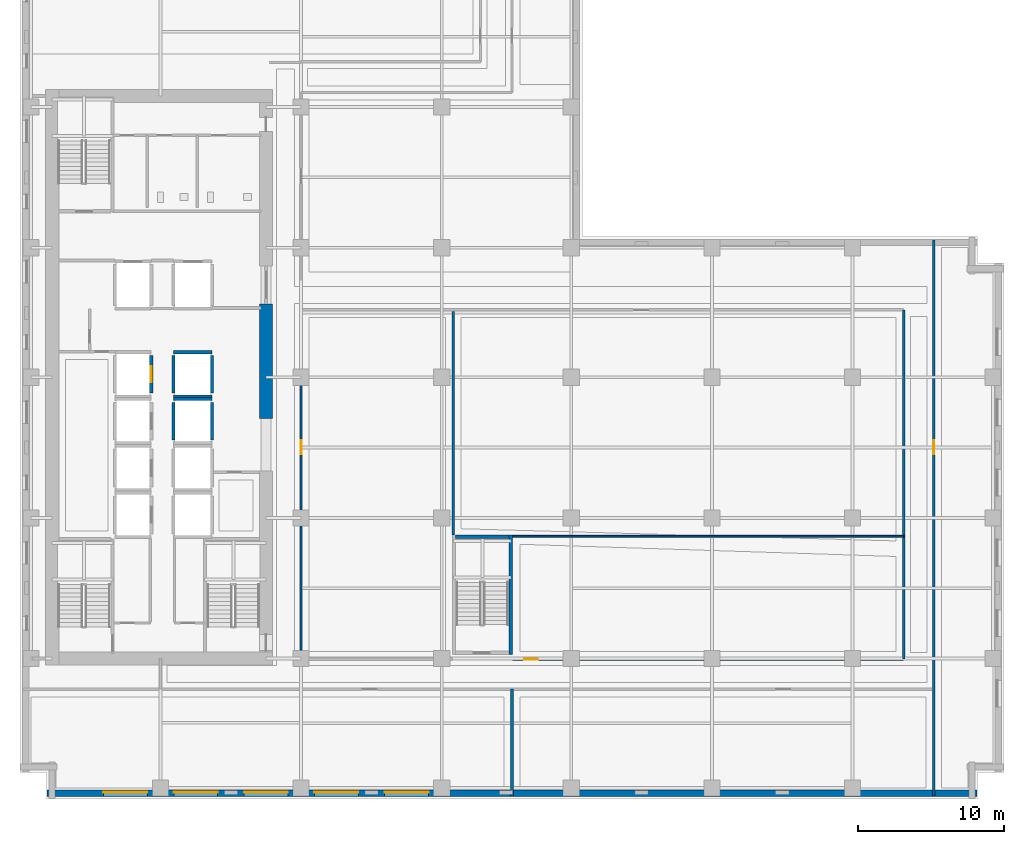
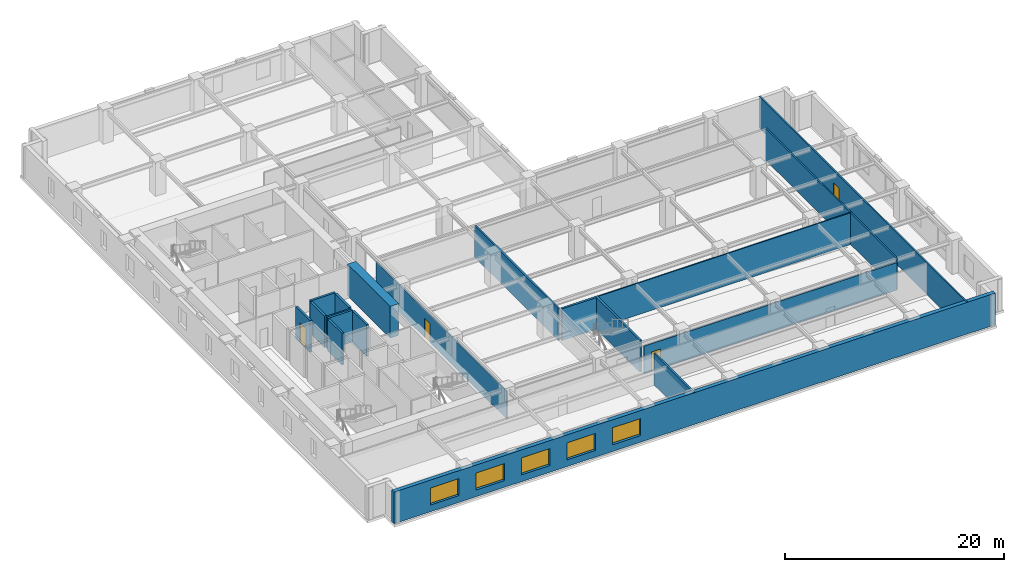
# One storey, part 5 of 13: 19 walls, 5 windows, 4 doors, 9 openings.
"""IFC4 building model written with IfcOpenShell, lengths in metres."""

import ifcopenshell
import ifcopenshell.guid

model = None  # the IFC model being written
_history = None  # IfcOwnerHistory: only IFC2X3 demands one
_inside = {}  # id of a spatial element -> (the spatial element, [elements in it])
_under = {}  # id of a project, library or spatial element -> (it, [spatial elements below it])
_declared = {}  # id of a project -> (the project, [libraries it declares])
_typed = {}  # id of a type object -> (the type object, [elements of that type])
_made_of = {}  # id of a material, layer set ... -> (it, [elements and type objects made of it])


def new_model(schema):
    """Start an empty IFC model of exactly this schema.

    Asked for "IFC4X3", IfcOpenShell would pick the latest addendum, in which some entities
    have other attributes; the version numbers below select the first issue.
    IFC2X3 requires an IfcOwnerHistory on every rooted entity: one is made here for all.
    """
    global model, _history
    if schema == "IFC4X3":
        model = ifcopenshell.file(schema_version=(4, 3, 0, 0))
    else:
        model = ifcopenshell.file(schema=schema)
    _inside.clear()
    _under.clear()
    _declared.clear()
    _typed.clear()
    _made_of.clear()
    _history = None
    if model.schema == "IFC2X3":
        org = make("IfcOrganization", Name="unknown")
        user = make(
            "IfcPersonAndOrganization",
            ThePerson=make("IfcPerson", FamilyName="unknown"),
            TheOrganization=org,
        )
        app = make(
            "IfcApplication",
            ApplicationDeveloper=org,
            Version="unknown",
            ApplicationFullName="unknown",
            ApplicationIdentifier="unknown",
        )
        _history = make(
            "IfcOwnerHistory",
            OwningUser=user,
            OwningApplication=app,
            ChangeAction="ADDED",
            CreationDate=0,
        )
    return model


def make(cls, **values):
    """One entity of the class cls with the attributes given. An attribute that is None is left unset."""
    return model.create_entity(
        cls, **{name: value for name, value in values.items() if value is not None}
    )


def rooted(cls, **values):
    """An entity with a GlobalId (a new one), such as an element, a storey or a relation."""
    return make(cls, GlobalId=ifcopenshell.guid.new(), OwnerHistory=_history, **values)


def si_unit(unit_type, name, prefix=None):
    """IfcSIUnit, for example si_unit("LENGTHUNIT", "METRE", prefix="MILLI")."""
    return make("IfcSIUnit", UnitType=unit_type, Prefix=prefix, Name=name)


def assignment(units):
    """IfcUnitAssignment: the units of a project."""
    return None if units is None else make("IfcUnitAssignment", Units=units)


def point(xyz):
    """IfcCartesianPoint."""
    return None if xyz is None else make("IfcCartesianPoint", Coordinates=xyz)


def direction(xyz):
    """IfcDirection."""
    return None if xyz is None else make("IfcDirection", DirectionRatios=xyz)


def frame(location, z_axis=None, x_axis=None):
    """IfcAxis2Placement3D, a coordinate frame: its origin and axes. An axis left out is left unset."""
    return make(
        "IfcAxis2Placement3D",
        Location=point(location),
        Axis=direction(z_axis),
        RefDirection=direction(x_axis),
    )


def frame_2d(location, x_axis=None):
    """IfcAxis2Placement2D, a coordinate frame in the plane: its origin and x axis."""
    return make(
        "IfcAxis2Placement2D", Location=point(location), RefDirection=direction(x_axis)
    )


def origin():
    """The frame at (0, 0, 0) with its axes left unset."""
    return frame((0.0, 0.0, 0.0))


def place(relative_to, where):
    """IfcLocalPlacement: puts the frame where relative to a parent placement (None: the world)."""
    return make(
        "IfcLocalPlacement", PlacementRelTo=relative_to, RelativePlacement=where
    )


def context(
    kind, dimensions, precision=None, world=None, true_north=None, identifier=None
):
    """IfcGeometricRepresentationContext, for example the 3D "Model" context."""
    return make(
        "IfcGeometricRepresentationContext",
        ContextIdentifier=identifier,
        ContextType=kind,
        CoordinateSpaceDimension=dimensions,
        Precision=precision,
        WorldCoordinateSystem=world,
        TrueNorth=true_north,
    )


def subcontext(parent, identifier, kind, view, scale=None):
    """IfcGeometricRepresentationSubContext, for example "Body" below "Model"."""
    return make(
        "IfcGeometricRepresentationSubContext",
        ContextIdentifier=identifier,
        ContextType=kind,
        ParentContext=parent,
        TargetScale=scale,
        TargetView=view,
    )


def project(units=None, contexts=None):
    """IfcProject with its units and contexts."""
    return rooted(
        "IfcProject",
        Name="project",
        RepresentationContexts=contexts,
        UnitsInContext=assignment(units),
    )


def spatial(cls, under=None, at=None, **own):
    """A site, building, storey or space (cls), placed at a placement, below another one or the project."""
    s = rooted(cls, ObjectPlacement=at, **own)
    if under is not None:
        _under.setdefault(under.id(), (under, []))[1].append(s)
    return s


def profile(cls, at=None, kind="AREA", **sizes):
    """A parametric profile (cls). Its sizes go by their IFC names, for example OverallWidth=200.0."""
    return make(cls, ProfileType=kind, Position=at, **sizes)


def rectangle(**sizes):
    """IfcRectangleProfileDef."""
    return profile("IfcRectangleProfileDef", **sizes)


def extrude(swept, where, along, depth):
    """IfcExtrudedAreaSolid: the profile swept, set in the frame where, extruded along a direction by depth."""
    return make(
        "IfcExtrudedAreaSolid",
        SweptArea=swept,
        Position=where,
        ExtrudedDirection=direction(along),
        Depth=depth,
    )


def shape(context_of_items, identifier, shape_type, items):
    """IfcShapeRepresentation: the items that make up one representation, for example the "Body"."""
    return make(
        "IfcShapeRepresentation",
        ContextOfItems=context_of_items,
        RepresentationIdentifier=identifier,
        RepresentationType=shape_type,
        Items=items,
    )


def material(Name=None, Category=None):
    """IfcMaterial."""
    return make("IfcMaterial", Name=Name, Category=Category)


def layer(
    of_material, thickness, ventilated=None, Name=None, Category=None, Priority=None
):
    """IfcMaterialLayer: one layer of a wall or slab, of a material (None: an air gap)."""
    return make(
        "IfcMaterialLayer",
        Material=of_material,
        LayerThickness=thickness,
        IsVentilated=ventilated,
        Name=Name,
        Category=Category,
        Priority=Priority,
    )


def layer_set(layers, Name=None):
    """IfcMaterialLayerSet."""
    return make("IfcMaterialLayerSet", MaterialLayers=layers, LayerSetName=Name)


def made_of(thing, what):
    """Note that an element or type object is made of a material, layer set ...; save() writes the relation."""
    if what is not None:
        _made_of.setdefault(what.id(), (what, []))[1].append(thing)
    return thing


def type_object(cls, material=None, **own):
    """A type object (cls), such as IfcWallType, which elements share."""
    return made_of(rooted(cls, **own), material)


def element(
    cls,
    number,
    at=None,
    inside=None,
    cuts=None,
    type_object=None,
    material=None,
    context=None,
    identifier="Body",
    shape_type=None,
    held_by="IfcProductDefinitionShape",
    body=None,
    shapes=None,
    **own,
):
    """One element of the class cls, such as IfcWall. Its Tag is "e" and its number.

    at: its placement. inside: the storey or other place that contains it. cuts: it is an
    opening in that element (IfcRelVoidsElement). A single representation is given by context,
    identifier, shape_type and body (its items); several are given by shapes. held_by: the class
    of the entity that holds the representations. save() writes the other relations.
    """
    e = rooted(cls, Tag="e%d" % number, ObjectPlacement=at, **own)
    if body is not None:
        shapes = [shape(context, identifier, shape_type, body)]
    if shapes is not None:
        e.Representation = make(held_by, Representations=shapes)
    if inside is not None:
        _inside.setdefault(inside.id(), (inside, []))[1].append(e)
    if cuts is not None:
        rooted(
            "IfcRelVoidsElement", RelatingBuildingElement=cuts, RelatedOpeningElement=e
        )
    if type_object is not None:
        _typed.setdefault(type_object.id(), (type_object, []))[1].append(e)
    return made_of(e, material)


def fill(opening, filler):
    """IfcRelFillsElement: the door or window that sits in an opening."""
    return rooted(
        "IfcRelFillsElement",
        RelatingOpeningElement=opening,
        RelatedBuildingElement=filler,
    )


def aggregate(whole, parts):
    """IfcRelAggregates: a whole, such as a stair, and the parts it consists of."""
    return rooted("IfcRelAggregates", RelatingObject=whole, RelatedObjects=parts)


def save(model, path):
    """Write the relations noted so far, then the file.

    IfcRelAggregates (storeys below a building ...), IfcRelContainedInSpatialStructure (elements
    in a storey), IfcRelDefinesByType, IfcRelAssociatesMaterial and IfcRelDeclares: one each for
    every whole, place, type object, material and project.
    """
    for whole, parts in _under.values():
        aggregate(whole, parts)
    for where, things in _inside.values():
        rooted(
            "IfcRelContainedInSpatialStructure",
            RelatedElements=things,
            RelatingStructure=where,
        )
    for kind, things in _typed.values():
        rooted("IfcRelDefinesByType", RelatedObjects=things, RelatingType=kind)
    for what, things in _made_of.values():
        rooted("IfcRelAssociatesMaterial", RelatedObjects=things, RelatingMaterial=what)
    for by, libraries in _declared.values():
        rooted("IfcRelDeclares", RelatingContext=by, RelatedDefinitions=libraries)
    model.write(path)


model = new_model("IFC4")

# Units and contexts
model_context = context("Model", 3, precision=1e-05, world=origin(), true_north=direction((0.0, 1.0)))
body_context = subcontext(model_context, "Body", "Model", "MODEL_VIEW")
ifc_project = project(units=[si_unit("LENGTHUNIT", "METRE"), si_unit("AREAUNIT", "SQUARE_METRE"), si_unit("VOLUMEUNIT", "CUBIC_METRE"), si_unit("PLANEANGLEUNIT", "RADIAN"), si_unit("MASSUNIT", "GRAM", prefix="KILO")], contexts=[model_context])

# Site, building, storey
site_placement = place(None, origin())
site = spatial("IfcSite", under=ifc_project, at=site_placement, CompositionType="ELEMENT")
building_placement = place(site_placement, origin())
building = spatial("IfcBuilding", under=site, at=building_placement, Name="Norrvale University Quadrangle", CompositionType="ELEMENT")
storey_placement = place(building_placement, frame((0.0, 0.0, 85.0)))
storey = spatial("IfcBuildingStorey", under=building, at=storey_placement, Name="L21", CompositionType="ELEMENT", Elevation=85.0)

# Wall, openings, windows
ifc_material_1 = material(Name="Buff Norman Clay Brick Masonry", Category="masonry")
ifc_layer_1 = layer(ifc_material_1, 0.419921875, Name="Buff Norman Clay Brick Masonry")
ifc_layer_set_1 = layer_set([ifc_layer_1], Name="Buff Norman Clay Brick Masonry")
wall_type_1 = type_object("IfcWallType", Name="Wall Buff Brick 420", PredefinedType="SOLIDWALL", material=ifc_layer_set_1)
wall_1_placement = place(storey_placement, frame((1.840087890625, 0.389892578125, 0.0), z_axis=(0.0, 0.0, 1.0), x_axis=(1.0, 0.0, 0.0)))
wall_1 = element("IfcWall", 1, at=wall_1_placement, inside=storey, type_object=wall_type_1, Name="Exterior Brick Facade Wall L21-01.1", PredefinedType="SOLIDWALL", context=body_context, shape_type="SweptSolid", body=[
    extrude(rectangle(XDim=63.52001953125, YDim=0.419921875, at=frame_2d((31.760009765625, 0.0))), origin(), (0.0, 0.0, 1.0), 3.5400390625),
])
opening_1_placement = place(wall_1_placement, frame((3.860107421875, 0.0, 0.75)))
opening_1 = element("IfcOpeningElement", 2, at=opening_1_placement, cuts=wall_1, Name="Opening W08", PredefinedType="OPENING", context=body_context, shape_type="SweptSolid", body=[
    extrude(rectangle(XDim=3.0, YDim=1.89990234375, at=frame_2d((1.5, 0.949951171875))), frame((0.0, 0.221923828125, 0.0), z_axis=(0.0, -1.0, 0.0), x_axis=(1.0, 0.0, 0.0)), (0.0, 0.0, 1.0), 0.44384765625),
])
opening_2_placement = place(wall_1_placement, frame((8.659912109375, 0.0, 0.75)))
opening_2 = element("IfcOpeningElement", 3, at=opening_2_placement, cuts=wall_1, Name="Opening W08", PredefinedType="OPENING", context=body_context, shape_type="SweptSolid", body=[
    extrude(rectangle(XDim=3.0, YDim=1.89990234375, at=frame_2d((1.5, 0.949951171875))), frame((0.0, 0.221923828125, 0.0), z_axis=(0.0, -1.0, 0.0), x_axis=(1.0, 0.0, 0.0)), (0.0, 0.0, 1.0), 0.44384765625),
])
opening_3_placement = place(wall_1_placement, frame((13.4599609375, 0.0, 0.75)))
opening_3 = element("IfcOpeningElement", 4, at=opening_3_placement, cuts=wall_1, Name="Opening W08", PredefinedType="OPENING", context=body_context, shape_type="SweptSolid", body=[
    extrude(rectangle(XDim=3.0, YDim=1.89990234375, at=frame_2d((1.5, 0.949951171875))), frame((0.0, 0.221923828125, 0.0), z_axis=(0.0, -1.0, 0.0), x_axis=(1.0, 0.0, 0.0)), (0.0, 0.0, 1.0), 0.44384765625),
])
opening_4_placement = place(wall_1_placement, frame((18.260009765625, 0.0, 0.75)))
opening_4 = element("IfcOpeningElement", 5, at=opening_4_placement, cuts=wall_1, Name="Opening W08", PredefinedType="OPENING", context=body_context, shape_type="SweptSolid", body=[
    extrude(rectangle(XDim=3.0, YDim=1.89990234375, at=frame_2d((1.5, 0.949951171875))), frame((0.0, 0.221923828125, 0.0), z_axis=(0.0, -1.0, 0.0), x_axis=(1.0, 0.0, 0.0)), (0.0, 0.0, 1.0), 0.44384765625),
])
opening_5_placement = place(wall_1_placement, frame((23.06005859375, 0.0, 0.75)))
opening_5 = element("IfcOpeningElement", 6, at=opening_5_placement, cuts=wall_1, Name="Opening W08", PredefinedType="OPENING", context=body_context, shape_type="SweptSolid", body=[
    extrude(rectangle(XDim=3.0, YDim=1.89990234375, at=frame_2d((1.5, 0.949951171875))), frame((0.0, 0.221923828125, 0.0), z_axis=(0.0, -1.0, 0.0), x_axis=(1.0, 0.0, 0.0)), (0.0, 0.0, 1.0), 0.44384765625),
])
ifc_material_2 = material(Name="Triple Low-E Argon Glazing", Category="glass")
window_type = type_object("IfcWindowType", Name="Window Lounge 3000x2500", PartitioningType="TRIPLE_PANEL_VERTICAL", PredefinedType="WINDOW", material=ifc_material_2)
window_1_placement = place(opening_1_placement, origin())
window_1 = element("IfcWindow", 7, at=window_1_placement, inside=storey, type_object=window_type, Name="Window Lounge 3000x2500 WIN-L21-E01-1-01", OverallHeight=1.89990234375, OverallWidth=3.0, PartitioningType="TRIPLE_PANEL_VERTICAL", PredefinedType="WINDOW", context=body_context, shape_type="SweptSolid", body=[
    extrude(rectangle(XDim=3.0, YDim=1.89990234375, at=frame_2d((1.5, 0.949951171875))), frame((0.0, 0.110107421875, 0.0), z_axis=(0.0, -1.0, 0.0), x_axis=(1.0, 0.0, 0.0)), (0.0, 0.0, 1.0), 0.06005859375),
])
fill(opening_1, window_1)
window_2_placement = place(opening_2_placement, origin())
window_2 = element("IfcWindow", 8, at=window_2_placement, inside=storey, type_object=window_type, Name="Window Lounge 3000x2500 WIN-L21-E01-1-02", OverallHeight=1.89990234375, OverallWidth=3.0, PartitioningType="TRIPLE_PANEL_VERTICAL", PredefinedType="WINDOW", context=body_context, shape_type="SweptSolid", body=[
    extrude(rectangle(XDim=3.0, YDim=1.89990234375, at=frame_2d((1.5, 0.949951171875))), frame((0.0, 0.110107421875, 0.0), z_axis=(0.0, -1.0, 0.0), x_axis=(1.0, 0.0, 0.0)), (0.0, 0.0, 1.0), 0.06005859375),
])
fill(opening_2, window_2)
window_3_placement = place(opening_3_placement, origin())
window_3 = element("IfcWindow", 9, at=window_3_placement, inside=storey, type_object=window_type, Name="Window Lounge 3000x2500 WIN-L21-E01-1-03", OverallHeight=1.89990234375, OverallWidth=3.0, PartitioningType="TRIPLE_PANEL_VERTICAL", PredefinedType="WINDOW", context=body_context, shape_type="SweptSolid", body=[
    extrude(rectangle(XDim=3.0, YDim=1.89990234375, at=frame_2d((1.5, 0.949951171875))), frame((0.0, 0.110107421875, 0.0), z_axis=(0.0, -1.0, 0.0), x_axis=(1.0, 0.0, 0.0)), (0.0, 0.0, 1.0), 0.06005859375),
])
fill(opening_3, window_3)
window_4_placement = place(opening_4_placement, origin())
window_4 = element("IfcWindow", 10, at=window_4_placement, inside=storey, type_object=window_type, Name="Window Lounge 3000x2500 WIN-L21-E01-1-04", OverallHeight=1.89990234375, OverallWidth=3.0, PartitioningType="TRIPLE_PANEL_VERTICAL", PredefinedType="WINDOW", context=body_context, shape_type="SweptSolid", body=[
    extrude(rectangle(XDim=3.0, YDim=1.89990234375, at=frame_2d((1.5, 0.949951171875))), frame((0.0, 0.110107421875, 0.0), z_axis=(0.0, -1.0, 0.0), x_axis=(1.0, 0.0, 0.0)), (0.0, 0.0, 1.0), 0.06005859375),
])
fill(opening_4, window_4)
window_5_placement = place(opening_5_placement, origin())
window_5 = element("IfcWindow", 11, at=window_5_placement, inside=storey, type_object=window_type, Name="Window Lounge 3000x2500 WIN-L21-E01-1-05", OverallHeight=1.89990234375, OverallWidth=3.0, PartitioningType="TRIPLE_PANEL_VERTICAL", PredefinedType="WINDOW", context=body_context, shape_type="SweptSolid", body=[
    extrude(rectangle(XDim=3.0, YDim=1.89990234375, at=frame_2d((1.5, 0.949951171875))), frame((0.0, 0.110107421875, 0.0), z_axis=(0.0, -1.0, 0.0), x_axis=(1.0, 0.0, 0.0)), (0.0, 0.0, 1.0), 0.06005859375),
])
fill(opening_5, window_5)

# Walls
ifc_material_3 = material(Name="Concrete C80/95", Category="concrete")
ifc_layer_2 = layer(ifc_material_3, 0.89990234375, Name="Concrete C80/95")
ifc_layer_set_2 = layer_set([ifc_layer_2], Name="Concrete C80/95")
wall_type_2 = type_object("IfcWallType", Name="Wall Core 900", PredefinedType="SHEAR", material=ifc_layer_set_2)
wall_2_placement = place(storey_placement, frame((16.800048828125, 26.0, 0.0), z_axis=(0.0, 0.0, 1.0), x_axis=(0.0, 1.0, 0.0)))
element("IfcWall", 12, at=wall_2_placement, inside=storey, type_object=wall_type_2, Name="Tower Core Shear Wall L21-E2", PredefinedType="SHEAR", context=body_context, shape_type="SweptSolid", body=[
    extrude(rectangle(XDim=7.800048828125, YDim=0.89990234375, at=frame_2d((3.89990234375, 0.0))), origin(), (0.0, 0.0, 1.0), 3.5400390625),
])
ifc_material_4 = material(Name="Standard Academic Gypsum Partition")
ifc_layer_3 = layer(ifc_material_4, 0.125, Name="Standard Academic Gypsum Partition")
ifc_layer_set_3 = layer_set([ifc_layer_3], Name="Standard Academic Gypsum Partition")
wall_type_3 = type_object("IfcWallType", Name="Wall Gypsum Academic 125", PredefinedType="PARTITIONING", material=ifc_layer_set_3)
wall_3_placement = place(storey_placement, frame((33.6201171875, 17.93994140625, 0.0), z_axis=(0.0, 0.0, 1.0), x_axis=(1.0, 0.0, 0.0)))
element("IfcWall", 13, at=wall_3_placement, inside=storey, type_object=wall_type_3, Name="Interior Partition WL-L21-ISLH", PredefinedType="PARTITIONING", context=body_context, shape_type="SweptSolid", body=[
    extrude(rectangle(XDim=26.72998046875, YDim=0.125, at=frame_2d((13.364990234375, 0.0))), origin(), (0.0, 0.0, 1.0), 3.5400390625),
])

# Wall, opening, door
ifc_material_5 = material(Name="Fire-Rated Gypsum Stud Partition")
ifc_layer_4 = layer(ifc_material_5, 0.14990234375, Name="Fire-Rated Gypsum Stud Partition")
ifc_layer_set_4 = layer_set([ifc_layer_4], Name="Fire-Rated Gypsum Stud Partition")
wall_type_4 = type_object("IfcWallType", Name="Wall Gypsum Corridor 150", PredefinedType="PARTITIONING", material=ifc_layer_set_4)
wall_4_placement = place(storey_placement, frame((62.39990234375, 0.219970703125, 0.0), z_axis=(0.0, 0.0, 1.0), x_axis=(0.0, 1.0, 0.0)))
wall_4 = element("IfcWall", 14, at=wall_4_placement, inside=storey, type_object=wall_type_4, Name="Interior Partition WL-L21-ECW", PredefinedType="PARTITIONING", context=body_context, shape_type="SweptSolid", body=[
    extrude(rectangle(XDim=37.9599609375, YDim=0.14990234375, at=frame_2d((18.97998046875, 0.0))), origin(), (0.0, 0.0, 1.0), 3.5400390625),
])
opening_6_placement = place(wall_4_placement, frame((23.330078125, 0.0, 0.0)))
opening_6 = element("IfcOpeningElement", 15, at=opening_6_placement, cuts=wall_4, Name="Opening D07", PredefinedType="OPENING", context=body_context, shape_type="SweptSolid", body=[
    extrude(rectangle(XDim=0.949951171875, YDim=2.14990234375, at=frame_2d((0.47509765625, 1.074951171875))), frame((0.0, 0.0869140625, 0.0), z_axis=(0.0, -1.0, 0.0), x_axis=(1.0, 0.0, 0.0)), (0.0, 0.0, 1.0), 0.173828125),
])
ifc_material_6 = material(Name="Solid-Core Maple Door", Category="wood")
door_type_1 = type_object("IfcDoorType", Name="Door Office 950x2150", OperationType="NOTDEFINED", PredefinedType="DOOR", material=ifc_material_6)
door_1_placement = place(opening_6_placement, origin())
door_1 = element("IfcDoor", 16, at=door_1_placement, inside=storey, type_object=door_type_1, Name="Door Office 950x2150 DR-L21-E01", OperationType="SINGLE_SWING_RIGHT", OverallHeight=2.14990234375, OverallWidth=0.949951171875, PredefinedType="DOOR", context=body_context, shape_type="SweptSolid", body=[
    extrude(rectangle(XDim=0.949951171875, YDim=2.14990234375, at=frame_2d((0.47509765625, 1.074951171875))), frame((0.0, 0.02490234375, 0.0), z_axis=(0.0, -1.0, 0.0), x_axis=(1.0, 0.0, 0.0)), (0.0, 0.0, 1.0), 0.050048828125),
])
fill(opening_6, door_1)

wall_5_placement = place(storey_placement, frame((19.199951171875, 9.550048828125, 0.0), z_axis=(0.0, 0.0, 1.0), x_axis=(0.0, 1.0, 0.0)))
wall_5 = element("IfcWall", 17, at=wall_5_placement, inside=storey, type_object=wall_type_4, Name="Interior Partition WL-L21-ISLW", PredefinedType="PARTITIONING", context=body_context, shape_type="SweptSolid", body=[
    extrude(rectangle(XDim=23.849853515625, YDim=0.14990234375, at=frame_2d((11.9248046875, 0.0))), origin(), (0.0, 0.0, 1.0), 3.071044921875),
])
opening_7_placement = place(wall_5_placement, frame((14.0, 0.0, 0.0)))
opening_7 = element("IfcOpeningElement", 18, at=opening_7_placement, cuts=wall_5, Name="Opening D07", PredefinedType="OPENING", context=body_context, shape_type="SweptSolid", body=[
    extrude(rectangle(XDim=0.949951171875, YDim=2.14990234375, at=frame_2d((0.47509765625, 1.074951171875))), frame((0.0, 0.0869140625, 0.0), z_axis=(0.0, -1.0, 0.0), x_axis=(1.0, 0.0, 0.0)), (0.0, 0.0, 1.0), 0.173828125),
])
door_2_placement = place(opening_7_placement, origin())
door_2 = element("IfcDoor", 19, at=door_2_placement, inside=storey, type_object=door_type_1, Name="Door Office 950x2150 DR-L21-IW1", OperationType="SINGLE_SWING_LEFT", OverallHeight=2.14990234375, OverallWidth=0.949951171875, PredefinedType="DOOR", context=body_context, shape_type="SweptSolid", body=[
    extrude(rectangle(XDim=0.949951171875, YDim=2.14990234375, at=frame_2d((0.47509765625, 1.074951171875))), frame((0.0, 0.02490234375, 0.0), z_axis=(0.0, -1.0, 0.0), x_axis=(1.0, 0.0, 0.0)), (0.0, 0.0, 1.0), 0.050048828125),
])
fill(opening_7, door_2)

wall_6_placement = place(storey_placement, frame((33.6201171875, 9.550048828125, 0.0), z_axis=(0.0, 0.0, 1.0), x_axis=(1.0, 0.0, 0.0)))
wall_6 = element("IfcWall", 20, at=wall_6_placement, inside=storey, type_object=wall_type_4, Name="Interior Partition WL-L21-ISLS2", PredefinedType="PARTITIONING", context=body_context, shape_type="SweptSolid", body=[
    extrude(rectangle(XDim=26.72998046875, YDim=0.14990234375, at=frame_2d((13.364990234375, 0.0))), origin(), (0.0, 0.0, 1.0), 3.071044921875),
])
opening_8_placement = place(wall_6_placement, frame((0.800048828125, 0.0, 0.0)))
opening_8 = element("IfcOpeningElement", 21, at=opening_8_placement, cuts=wall_6, Name="Opening D07", PredefinedType="OPENING", context=body_context, shape_type="SweptSolid", body=[
    extrude(rectangle(XDim=0.949951171875, YDim=2.14990234375, at=frame_2d((0.47509765625, 1.074951171875))), frame((0.0, 0.0869140625, 0.0), z_axis=(0.0, -1.0, 0.0), x_axis=(1.0, 0.0, 0.0)), (0.0, 0.0, 1.0), 0.173828125),
])
door_3_placement = place(opening_8_placement, origin())
door_3 = element("IfcDoor", 22, at=door_3_placement, inside=storey, type_object=door_type_1, Name="Door Office 950x2150 DR-L21-ISE", OperationType="SINGLE_SWING_LEFT", OverallHeight=2.14990234375, OverallWidth=0.949951171875, PredefinedType="DOOR", context=body_context, shape_type="SweptSolid", body=[
    extrude(rectangle(XDim=0.949951171875, YDim=2.14990234375, at=frame_2d((0.47509765625, 1.074951171875))), frame((0.0, 0.02490234375, 0.0), z_axis=(0.0, -1.0, 0.0), x_axis=(1.0, 0.0, 0.0)), (0.0, 0.0, 1.0), 0.050048828125),
])
fill(opening_8, door_3)

# Walls
wall_7_placement = place(storey_placement, frame((60.35009765625, 9.550048828125, 0.0), z_axis=(0.0, 0.0, 1.0), x_axis=(0.0, 1.0, 0.0)))
element("IfcWall", 23, at=wall_7_placement, inside=storey, type_object=wall_type_4, Name="Interior Partition WL-L21-ISLE", PredefinedType="PARTITIONING", context=body_context, shape_type="SweptSolid", body=[
    extrude(rectangle(XDim=23.849853515625, YDim=0.14990234375, at=frame_2d((11.9248046875, 0.0))), origin(), (0.0, 0.0, 1.0), 3.5400390625),
])
ifc_material_7 = material(Name="Acoustic Double-Stud Gypsum Partition")
ifc_layer_5 = layer(ifc_material_7, 0.179931640625, Name="Acoustic Double-Stud Gypsum Partition")
ifc_layer_set_5 = layer_set([ifc_layer_5], Name="Acoustic Double-Stud Gypsum Partition")
wall_type_5 = type_object("IfcWallType", Name="Wall Gypsum Lecture 180", PredefinedType="PARTITIONING", material=ifc_layer_set_5)
wall_8_placement = place(storey_placement, frame((33.60009765625, 0.219970703125, 0.0), z_axis=(0.0, 0.0, 1.0), x_axis=(0.0, 1.0, 0.0)))
element("IfcWall", 24, at=wall_8_placement, inside=storey, type_object=wall_type_5, Name="Interior Partition WL-L21-SP01", PredefinedType="PARTITIONING", context=body_context, shape_type="SweptSolid", body=[
    extrude(rectangle(XDim=7.280029296875, YDim=0.179931640625, at=frame_2d((3.64013671875, 0.0))), origin(), (0.0, 0.0, 1.0), 3.5400390625),
])
wall_9_placement = place(storey_placement, frame((29.580078125, 18.02490234375, 0.0), z_axis=(0.0, 0.0, 1.0), x_axis=(0.0, 1.0, 0.0)))
element("IfcWall", 25, at=wall_9_placement, inside=storey, type_object=wall_type_5, Name="Interior Partition WL-L21-ISLD", PredefinedType="PARTITIONING", context=body_context, shape_type="SweptSolid", body=[
    extrude(rectangle(XDim=15.280029296875, YDim=0.179931640625, at=frame_2d((7.64013671875, 0.0))), origin(), (0.0, 0.0, 1.0), 3.5400390625),
])
ifc_material_8 = material(Name="Concrete Blockwork 20 MPa Fire Shaft", Category="masonry")
ifc_layer_6 = layer(ifc_material_8, 0.219970703125, Name="Concrete Blockwork 20 MPa Fire Shaft")
ifc_layer_set_6 = layer_set([ifc_layer_6], Name="Concrete Blockwork 20 MPa Fire Shaft")
wall_type_6 = type_object("IfcWallType", Name="Wall Shaft 220", PredefinedType="SOLIDWALL", material=ifc_layer_set_6)
wall_10_placement = place(storey_placement, frame((33.510009765625, 9.8798828125, 0.0), z_axis=(0.0, 0.0, 1.0), x_axis=(0.0, 1.0, 0.0)))
element("IfcWall", 26, at=wall_10_placement, inside=storey, type_object=wall_type_6, Name="Stair ST-04 East Shaft Wall L21", PredefinedType="SOLIDWALL", context=body_context, shape_type="SweptSolid", body=[
    extrude(rectangle(XDim=8.14013671875, YDim=0.219970703125, at=frame_2d((4.070068359375, 0.0))), origin(), (0.0, 0.0, 1.0), 3.5400390625),
])
wall_11_placement = place(storey_placement, frame((29.75, 17.909912109375, 0.0), z_axis=(0.0, 0.0, 1.0), x_axis=(1.0, 0.0, 0.0)))
element("IfcWall", 27, at=wall_11_placement, inside=storey, type_object=wall_type_6, Name="Stair ST-04 North Shaft Wall L21", PredefinedType="SOLIDWALL", context=body_context, shape_type="SweptSolid", body=[
    extrude(rectangle(XDim=3.64990234375, YDim=0.219970703125, at=frame_2d((1.824951171875, 0.0))), origin(), (0.0, 0.0, 1.0), 3.5400390625),
])

# Wall, opening, door
wall_12_placement = place(storey_placement, frame((8.9599609375, 27.7099609375, 0.0), z_axis=(0.0, 0.0, 1.0), x_axis=(0.0, 1.0, 0.0)))
wall_12 = element("IfcWall", 28, at=wall_12_placement, inside=storey, type_object=wall_type_6, Name="Hoistway PL-04 East Wall L21", PredefinedType="SOLIDWALL", context=body_context, shape_type="SweptSolid", body=[
    extrude(rectangle(XDim=2.580078125, YDim=0.219970703125, at=frame_2d((1.2900390625, 0.0))), origin(), (0.0, 0.0, 1.0), 3.5400390625),
])
opening_9_placement = place(wall_12_placement, frame((0.739990234375, 0.0, 0.0)))
opening_9 = element("IfcOpeningElement", 29, at=opening_9_placement, cuts=wall_12, Name="Opening LD1", PredefinedType="OPENING", context=body_context, shape_type="SweptSolid", body=[
    extrude(rectangle(XDim=1.10009765625, YDim=2.199951171875, at=frame_2d((0.550048828125, 1.10009765625))), frame((0.0, 0.1220703125, 0.0), z_axis=(0.0, -1.0, 0.0), x_axis=(1.0, 0.0, 0.0)), (0.0, 0.0, 1.0), 0.243896484375),
])
ifc_material_9 = material(Name="Stainless Steel 316L Lift Landing Door", Category="steel")
door_type_2 = type_object("IfcDoorType", Name="Door Lift Landing 1100x2200", OperationType="DOUBLE_DOOR_SLIDING", PredefinedType="DOOR", material=ifc_material_9)
door_4_placement = place(opening_9_placement, origin())
door_4 = element("IfcDoor", 30, at=door_4_placement, inside=storey, type_object=door_type_2, Name="Elevator Landing Door DR-L21-PL-04", OperationType="DOUBLE_DOOR_SLIDING", OverallHeight=2.199951171875, OverallWidth=1.10009765625, PredefinedType="DOOR", context=body_context, shape_type="SweptSolid", body=[
    extrude(rectangle(XDim=1.10009765625, YDim=2.199951171875, at=frame_2d((0.550048828125, 1.10009765625))), frame((0.0, 0.02490234375, 0.0), z_axis=(0.0, -1.0, 0.0), x_axis=(1.0, 0.0, 0.0)), (0.0, 0.0, 1.0), 0.050048828125),
])
fill(opening_9, door_4)

# Walls
for number, where, z_axis, x_axis, name in (
    (31, (10.489990234375, 24.510009765625, 0.0), (0.0, 0.0, 1.0), (0.0, 1.0, 0.0), "Hoistway PL-07 West Wall L21"),
    (32, (13.110107421875, 24.510009765625, 0.0), (0.0, 0.0, 1.0), (0.0, 1.0, 0.0), "Hoistway PL-07 East Wall L21"),
):
    element("IfcWall", number, at=place(storey_placement, frame(where, z_axis=z_axis, x_axis=x_axis)), inside=storey, type_object=wall_type_6, Name=name, PredefinedType="SOLIDWALL", context=body_context, shape_type="SweptSolid", body=[
        extrude(rectangle(XDim=2.580078125, YDim=0.219970703125, at=frame_2d((1.2900390625, 0.0))), origin(), (0.0, 0.0, 1.0), 3.5400390625),
    ])
wall_13_placement = place(storey_placement, frame((10.489990234375, 27.31005859375, 0.0), z_axis=(0.0, 0.0, 1.0), x_axis=(1.0, 0.0, 0.0)))
element("IfcWall", 33, at=wall_13_placement, inside=storey, type_object=wall_type_6, Name="Hoistway PL-07 North Wall L21", PredefinedType="SOLIDWALL", context=body_context, shape_type="SweptSolid", body=[
    extrude(rectangle(XDim=2.6201171875, YDim=0.219970703125, at=frame_2d((1.31005859375, 0.0))), origin(), (0.0, 0.0, 1.0), 3.5400390625),
])
for number, where, z_axis, x_axis, name in (
    (34, (10.489990234375, 27.7099609375, 0.0), (0.0, 0.0, 1.0), (0.0, 1.0, 0.0), "Hoistway PL-08 West Wall L21"),
    (35, (13.110107421875, 27.7099609375, 0.0), (0.0, 0.0, 1.0), (0.0, 1.0, 0.0), "Hoistway PL-08 East Wall L21"),
):
    element("IfcWall", number, at=place(storey_placement, frame(where, z_axis=z_axis, x_axis=x_axis)), inside=storey, type_object=wall_type_6, Name=name, PredefinedType="SOLIDWALL", context=body_context, shape_type="SweptSolid", body=[
        extrude(rectangle(XDim=2.580078125, YDim=0.219970703125, at=frame_2d((1.2900390625, 0.0))), origin(), (0.0, 0.0, 1.0), 3.5400390625),
    ])
for number, where, z_axis, x_axis, name in (
    (36, (10.489990234375, 27.489990234375, 0.0), (0.0, 0.0, 1.0), (1.0, 0.0, 0.0), "Hoistway PL-08 South Wall L21"),
    (37, (10.489990234375, 30.510009765625, 0.0), (0.0, 0.0, 1.0), (1.0, 0.0, 0.0), "Hoistway PL-08 North Wall L21"),
):
    element("IfcWall", number, at=place(storey_placement, frame(where, z_axis=z_axis, x_axis=x_axis)), inside=storey, type_object=wall_type_6, Name=name, PredefinedType="SOLIDWALL", context=body_context, shape_type="SweptSolid", body=[
        extrude(rectangle(XDim=2.6201171875, YDim=0.219970703125, at=frame_2d((1.31005859375, 0.0))), origin(), (0.0, 0.0, 1.0), 3.5400390625),
    ])

save(model, "model.ifc")
